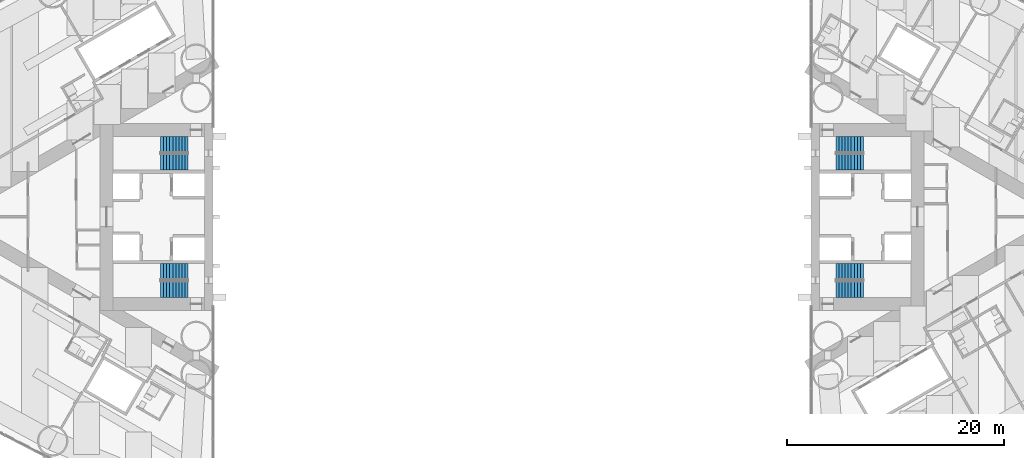
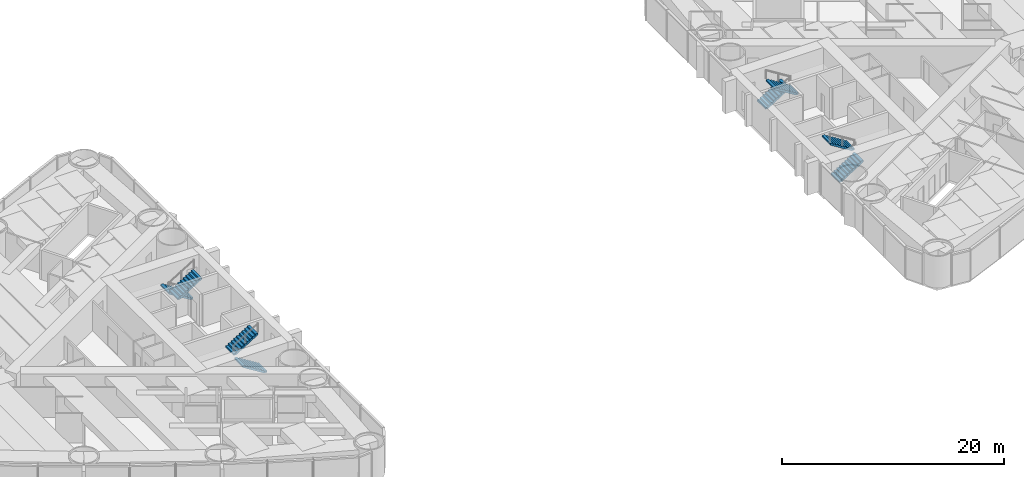
# One storey, part 17 of 19: 8 stair flights, 4 elements without a shape of their own.
"""IFC4 building model written with IfcOpenShell, lengths in metres."""

import ifcopenshell
import ifcopenshell.guid

model = None  # the IFC model being written
_history = None  # IfcOwnerHistory: only IFC2X3 demands one
_inside = {}  # id of a spatial element -> (the spatial element, [elements in it])
_under = {}  # id of a project, library or spatial element -> (it, [spatial elements below it])
_declared = {}  # id of a project -> (the project, [libraries it declares])
_typed = {}  # id of a type object -> (the type object, [elements of that type])
_made_of = {}  # id of a material, layer set ... -> (it, [elements and type objects made of it])


def new_model(schema):
    """Start an empty IFC model of exactly this schema.

    Asked for "IFC4X3", IfcOpenShell would pick the latest addendum, in which some entities
    have other attributes; the version numbers below select the first issue.
    IFC2X3 requires an IfcOwnerHistory on every rooted entity: one is made here for all.
    """
    global model, _history
    if schema == "IFC4X3":
        model = ifcopenshell.file(schema_version=(4, 3, 0, 0))
    else:
        model = ifcopenshell.file(schema=schema)
    _inside.clear()
    _under.clear()
    _declared.clear()
    _typed.clear()
    _made_of.clear()
    _history = None
    if model.schema == "IFC2X3":
        org = make("IfcOrganization", Name="unknown")
        user = make(
            "IfcPersonAndOrganization",
            ThePerson=make("IfcPerson", FamilyName="unknown"),
            TheOrganization=org,
        )
        app = make(
            "IfcApplication",
            ApplicationDeveloper=org,
            Version="unknown",
            ApplicationFullName="unknown",
            ApplicationIdentifier="unknown",
        )
        _history = make(
            "IfcOwnerHistory",
            OwningUser=user,
            OwningApplication=app,
            ChangeAction="ADDED",
            CreationDate=0,
        )
    return model


def make(cls, **values):
    """One entity of the class cls with the attributes given. An attribute that is None is left unset."""
    return model.create_entity(
        cls, **{name: value for name, value in values.items() if value is not None}
    )


def rooted(cls, **values):
    """An entity with a GlobalId (a new one), such as an element, a storey or a relation."""
    return make(cls, GlobalId=ifcopenshell.guid.new(), OwnerHistory=_history, **values)


def si_unit(unit_type, name, prefix=None):
    """IfcSIUnit, for example si_unit("LENGTHUNIT", "METRE", prefix="MILLI")."""
    return make("IfcSIUnit", UnitType=unit_type, Prefix=prefix, Name=name)


def assignment(units):
    """IfcUnitAssignment: the units of a project."""
    return None if units is None else make("IfcUnitAssignment", Units=units)


def point(xyz):
    """IfcCartesianPoint."""
    return None if xyz is None else make("IfcCartesianPoint", Coordinates=xyz)


def direction(xyz):
    """IfcDirection."""
    return None if xyz is None else make("IfcDirection", DirectionRatios=xyz)


def frame(location, z_axis=None, x_axis=None):
    """IfcAxis2Placement3D, a coordinate frame: its origin and axes. An axis left out is left unset."""
    return make(
        "IfcAxis2Placement3D",
        Location=point(location),
        Axis=direction(z_axis),
        RefDirection=direction(x_axis),
    )


def origin():
    """The frame at (0, 0, 0) with its axes left unset."""
    return frame((0.0, 0.0, 0.0))


def place(relative_to, where):
    """IfcLocalPlacement: puts the frame where relative to a parent placement (None: the world)."""
    return make(
        "IfcLocalPlacement", PlacementRelTo=relative_to, RelativePlacement=where
    )


def context(
    kind, dimensions, precision=None, world=None, true_north=None, identifier=None
):
    """IfcGeometricRepresentationContext, for example the 3D "Model" context."""
    return make(
        "IfcGeometricRepresentationContext",
        ContextIdentifier=identifier,
        ContextType=kind,
        CoordinateSpaceDimension=dimensions,
        Precision=precision,
        WorldCoordinateSystem=world,
        TrueNorth=true_north,
    )


def subcontext(parent, identifier, kind, view, scale=None):
    """IfcGeometricRepresentationSubContext, for example "Body" below "Model"."""
    return make(
        "IfcGeometricRepresentationSubContext",
        ContextIdentifier=identifier,
        ContextType=kind,
        ParentContext=parent,
        TargetScale=scale,
        TargetView=view,
    )


def project(units=None, contexts=None):
    """IfcProject with its units and contexts."""
    return rooted(
        "IfcProject",
        Name="project",
        RepresentationContexts=contexts,
        UnitsInContext=assignment(units),
    )


def spatial(cls, under=None, at=None, **own):
    """A site, building, storey or space (cls), placed at a placement, below another one or the project."""
    s = rooted(cls, ObjectPlacement=at, **own)
    if under is not None:
        _under.setdefault(under.id(), (under, []))[1].append(s)
    return s


def polyline(points):
    """IfcPolyline through the points."""
    return make("IfcPolyline", Points=[point(p) for p in points])


def outline(outer, holes=None, kind="AREA"):
    """IfcArbitraryClosedProfileDef: a profile drawn as a closed curve; with holes, ...WithVoids."""
    if holes is None:
        return make("IfcArbitraryClosedProfileDef", ProfileType=kind, OuterCurve=outer)
    return make(
        "IfcArbitraryProfileDefWithVoids",
        ProfileType=kind,
        OuterCurve=outer,
        InnerCurves=holes,
    )


def extrude(swept, where, along, depth):
    """IfcExtrudedAreaSolid: the profile swept, set in the frame where, extruded along a direction by depth."""
    return make(
        "IfcExtrudedAreaSolid",
        SweptArea=swept,
        Position=where,
        ExtrudedDirection=direction(along),
        Depth=depth,
    )


def shape(context_of_items, identifier, shape_type, items):
    """IfcShapeRepresentation: the items that make up one representation, for example the "Body"."""
    return make(
        "IfcShapeRepresentation",
        ContextOfItems=context_of_items,
        RepresentationIdentifier=identifier,
        RepresentationType=shape_type,
        Items=items,
    )


def material(Name=None, Category=None):
    """IfcMaterial."""
    return make("IfcMaterial", Name=Name, Category=Category)


def made_of(thing, what):
    """Note that an element or type object is made of a material, layer set ...; save() writes the relation."""
    if what is not None:
        _made_of.setdefault(what.id(), (what, []))[1].append(thing)
    return thing


def type_object(cls, material=None, **own):
    """A type object (cls), such as IfcWallType, which elements share."""
    return made_of(rooted(cls, **own), material)


def element(
    cls,
    number,
    at=None,
    inside=None,
    cuts=None,
    type_object=None,
    material=None,
    context=None,
    identifier="Body",
    shape_type=None,
    held_by="IfcProductDefinitionShape",
    body=None,
    shapes=None,
    **own,
):
    """One element of the class cls, such as IfcWall. Its Tag is "e" and its number.

    at: its placement. inside: the storey or other place that contains it. cuts: it is an
    opening in that element (IfcRelVoidsElement). A single representation is given by context,
    identifier, shape_type and body (its items); several are given by shapes. held_by: the class
    of the entity that holds the representations. save() writes the other relations.
    """
    e = rooted(cls, Tag="e%d" % number, ObjectPlacement=at, **own)
    if body is not None:
        shapes = [shape(context, identifier, shape_type, body)]
    if shapes is not None:
        e.Representation = make(held_by, Representations=shapes)
    if inside is not None:
        _inside.setdefault(inside.id(), (inside, []))[1].append(e)
    if cuts is not None:
        rooted(
            "IfcRelVoidsElement", RelatingBuildingElement=cuts, RelatedOpeningElement=e
        )
    if type_object is not None:
        _typed.setdefault(type_object.id(), (type_object, []))[1].append(e)
    return made_of(e, material)


def aggregate(whole, parts):
    """IfcRelAggregates: a whole, such as a stair, and the parts it consists of."""
    return rooted("IfcRelAggregates", RelatingObject=whole, RelatedObjects=parts)


def save(model, path):
    """Write the relations noted so far, then the file.

    IfcRelAggregates (storeys below a building ...), IfcRelContainedInSpatialStructure (elements
    in a storey), IfcRelDefinesByType, IfcRelAssociatesMaterial and IfcRelDeclares: one each for
    every whole, place, type object, material and project.
    """
    for whole, parts in _under.values():
        aggregate(whole, parts)
    for where, things in _inside.values():
        rooted(
            "IfcRelContainedInSpatialStructure",
            RelatedElements=things,
            RelatingStructure=where,
        )
    for kind, things in _typed.values():
        rooted("IfcRelDefinesByType", RelatedObjects=things, RelatingType=kind)
    for what, things in _made_of.values():
        rooted("IfcRelAssociatesMaterial", RelatedObjects=things, RelatingMaterial=what)
    for by, libraries in _declared.values():
        rooted("IfcRelDeclares", RelatingContext=by, RelatedDefinitions=libraries)
    model.write(path)


model = new_model("IFC4")

# Units and contexts
model_context = context("Model", 3, precision=1e-05, world=origin(), true_north=direction((0.0, 1.0)))
body_context = subcontext(model_context, "Body", "Model", "MODEL_VIEW")
ifc_project = project(units=[si_unit("LENGTHUNIT", "METRE"), si_unit("AREAUNIT", "SQUARE_METRE"), si_unit("VOLUMEUNIT", "CUBIC_METRE"), si_unit("PLANEANGLEUNIT", "RADIAN"), si_unit("MASSUNIT", "GRAM", prefix="KILO")], contexts=[model_context])

# Site, building, storey
site_placement = place(None, origin())
site = spatial("IfcSite", under=ifc_project, at=site_placement, CompositionType="ELEMENT")
building_placement = place(site_placement, origin())
building = spatial("IfcBuilding", under=site, at=building_placement, Name="Lancet Gate Hotel", CompositionType="ELEMENT")
storey_placement = place(building_placement, frame((0.0, 0.0, 28.5)))
storey = spatial("IfcBuildingStorey", under=building, at=storey_placement, Name="L06", CompositionType="ELEMENT", Elevation=28.5)

# Stair, stair flights
ifc_material_1 = material(Name="Exit stair 20 risers 1500")
stair_type = type_object("IfcStairType", Name="Exit stair 20 risers 1500", PredefinedType="HALF_TURN_STAIR", material=ifc_material_1)
stair_1_placement = place(storey_placement, origin())
stair_1 = element("IfcStair", 1, at=stair_1_placement, inside=storey, type_object=stair_type, Name="T1 stair 1 L06", PredefinedType="HALF_TURN_STAIR")
ifc_material_2 = material(Name="Stair flight 10 risers 175 rise 1500")
stair_flight_type = type_object("IfcStairFlightType", Name="Stair flight 10 risers 175 rise 1500", PredefinedType="STRAIGHT", material=ifc_material_2)
stair_flight_1_placement = place(storey_placement, frame((-29.800048828125, 6.64990234375, 0.0), z_axis=(0.0, 0.0, 1.0), x_axis=(-1.0, 0.0, 0.0)))
stair_flight_1 = element("IfcStairFlight", 2, at=stair_flight_1_placement, type_object=stair_flight_type, Name="ST1 flight 1", NumberOfRisers=10, NumberOfTreads=9, PredefinedType="STRAIGHT", RiserHeight=0.175, TreadLength=0.28, context=body_context, shape_type="SweptSolid", body=[
    extrude(outline(polyline([(0.0, 0.0), (0.0, 0.175048828125), (0.280029296875, 0.175048828125), (0.280029296875, 0.35009765625), (0.56005859375, 0.35009765625), (0.56005859375, 0.52490234375), (0.840087890625, 0.52490234375), (0.840087890625, 0.699951171875), (1.1201171875, 0.699951171875), (1.1201171875, 0.875), (1.39990234375, 0.875), (1.39990234375, 1.050048828125), (1.679931640625, 1.050048828125), (1.679931640625, 1.22509765625), (1.9599609375, 1.22509765625), (1.9599609375, 1.39990234375), (2.239990234375, 1.39990234375), (2.239990234375, 1.574951171875), (2.52001953125, 1.574951171875), (2.52001953125, 1.75), (2.52001953125, 1.398193359375), (0.28271484375, 0.0), (0.0, 0.0)])), frame((0.0, 0.75, 0.0), z_axis=(0.0, -1.0, 0.0), x_axis=(1.0, 0.0, 0.0)), (0.0, 0.0, 1.0), 1.5),
])
stair_flight_2_placement = place(storey_placement, frame((-32.320068359375, 5.050048828125, 1.75), z_axis=(0.0, 0.0, 1.0), x_axis=(1.0, 0.0, 0.0)))
stair_flight_2 = element("IfcStairFlight", 3, at=stair_flight_2_placement, type_object=stair_flight_type, Name="ST1 flight 2", NumberOfRisers=10, NumberOfTreads=9, PredefinedType="STRAIGHT", RiserHeight=0.175, TreadLength=0.28, context=body_context, shape_type="SweptSolid", body=[
    extrude(outline(polyline([(0.0, 0.0), (0.0, 0.175048828125), (0.280029296875, 0.175048828125), (0.280029296875, 0.35009765625), (0.56005859375, 0.35009765625), (0.56005859375, 0.52490234375), (0.840087890625, 0.52490234375), (0.840087890625, 0.699951171875), (1.1201171875, 0.699951171875), (1.1201171875, 0.875), (1.39990234375, 0.875), (1.39990234375, 1.050048828125), (1.679931640625, 1.050048828125), (1.679931640625, 1.22509765625), (1.9599609375, 1.22509765625), (1.9599609375, 1.39990234375), (2.239990234375, 1.39990234375), (2.239990234375, 1.574951171875), (2.52001953125, 1.574951171875), (2.52001953125, 1.75), (2.52001953125, 1.398193359375), (0.28271484375, 0.0), (0.0, 0.0)])), frame((0.0, 0.75, 0.0), z_axis=(0.0, -1.0, 0.0), x_axis=(1.0, 0.0, 0.0)), (0.0, 0.0, 1.0), 1.5),
])
aggregate(stair_1, [stair_flight_1, stair_flight_2])

stair_2_placement = place(storey_placement, origin())
stair_2 = element("IfcStair", 4, at=stair_2_placement, inside=storey, type_object=stair_type, Name="T1 stair 2 L06", PredefinedType="HALF_TURN_STAIR")
stair_flight_3_placement = place(storey_placement, frame((-29.800048828125, -6.64990234375, 0.0), z_axis=(0.0, 0.0, 1.0), x_axis=(-1.0, 0.0, 0.0)))
stair_flight_3 = element("IfcStairFlight", 5, at=stair_flight_3_placement, type_object=stair_flight_type, Name="ST2 flight 1", NumberOfRisers=10, NumberOfTreads=9, PredefinedType="STRAIGHT", RiserHeight=0.175, TreadLength=0.28, context=body_context, shape_type="SweptSolid", body=[
    extrude(outline(polyline([(0.0, 0.0), (0.0, 0.175048828125), (0.280029296875, 0.175048828125), (0.280029296875, 0.35009765625), (0.56005859375, 0.35009765625), (0.56005859375, 0.52490234375), (0.840087890625, 0.52490234375), (0.840087890625, 0.699951171875), (1.1201171875, 0.699951171875), (1.1201171875, 0.875), (1.39990234375, 0.875), (1.39990234375, 1.050048828125), (1.679931640625, 1.050048828125), (1.679931640625, 1.22509765625), (1.9599609375, 1.22509765625), (1.9599609375, 1.39990234375), (2.239990234375, 1.39990234375), (2.239990234375, 1.574951171875), (2.52001953125, 1.574951171875), (2.52001953125, 1.75), (2.52001953125, 1.398193359375), (0.28271484375, 0.0), (0.0, 0.0)])), frame((0.0, 0.75, 0.0), z_axis=(0.0, -1.0, 0.0), x_axis=(1.0, 0.0, 0.0)), (0.0, 0.0, 1.0), 1.5),
])
stair_flight_4_placement = place(storey_placement, frame((-32.320068359375, -5.050048828125, 1.75), z_axis=(0.0, 0.0, 1.0), x_axis=(1.0, 0.0, 0.0)))
stair_flight_4 = element("IfcStairFlight", 6, at=stair_flight_4_placement, type_object=stair_flight_type, Name="ST2 flight 2", NumberOfRisers=10, NumberOfTreads=9, PredefinedType="STRAIGHT", RiserHeight=0.175, TreadLength=0.28, context=body_context, shape_type="SweptSolid", body=[
    extrude(outline(polyline([(0.0, 0.0), (0.0, 0.175048828125), (0.280029296875, 0.175048828125), (0.280029296875, 0.35009765625), (0.56005859375, 0.35009765625), (0.56005859375, 0.52490234375), (0.840087890625, 0.52490234375), (0.840087890625, 0.699951171875), (1.1201171875, 0.699951171875), (1.1201171875, 0.875), (1.39990234375, 0.875), (1.39990234375, 1.050048828125), (1.679931640625, 1.050048828125), (1.679931640625, 1.22509765625), (1.9599609375, 1.22509765625), (1.9599609375, 1.39990234375), (2.239990234375, 1.39990234375), (2.239990234375, 1.574951171875), (2.52001953125, 1.574951171875), (2.52001953125, 1.75), (2.52001953125, 1.398193359375), (0.28271484375, 0.0), (0.0, 0.0)])), frame((0.0, 0.75, 0.0), z_axis=(0.0, -1.0, 0.0), x_axis=(1.0, 0.0, 0.0)), (0.0, 0.0, 1.0), 1.5),
])
aggregate(stair_2, [stair_flight_3, stair_flight_4])

stair_3_placement = place(storey_placement, origin())
stair_3 = element("IfcStair", 7, at=stair_3_placement, inside=storey, type_object=stair_type, Name="T2 stair 1 L06", PredefinedType="HALF_TURN_STAIR")
stair_flight_5_placement = place(storey_placement, frame((29.800048828125, -6.64990234375, 0.0), z_axis=(0.0, 0.0, 1.0), x_axis=(1.0, 0.0, 0.0)))
stair_flight_5 = element("IfcStairFlight", 8, at=stair_flight_5_placement, type_object=stair_flight_type, Name="ST3 flight 1", NumberOfRisers=10, NumberOfTreads=9, PredefinedType="STRAIGHT", RiserHeight=0.175, TreadLength=0.28, context=body_context, shape_type="SweptSolid", body=[
    extrude(outline(polyline([(0.0, 0.0), (0.0, 0.175048828125), (0.280029296875, 0.175048828125), (0.280029296875, 0.35009765625), (0.56005859375, 0.35009765625), (0.56005859375, 0.52490234375), (0.840087890625, 0.52490234375), (0.840087890625, 0.699951171875), (1.1201171875, 0.699951171875), (1.1201171875, 0.875), (1.39990234375, 0.875), (1.39990234375, 1.050048828125), (1.679931640625, 1.050048828125), (1.679931640625, 1.22509765625), (1.9599609375, 1.22509765625), (1.9599609375, 1.39990234375), (2.239990234375, 1.39990234375), (2.239990234375, 1.574951171875), (2.52001953125, 1.574951171875), (2.52001953125, 1.75), (2.52001953125, 1.398193359375), (0.28271484375, 0.0), (0.0, 0.0)])), frame((0.0, 0.75, 0.0), z_axis=(0.0, -1.0, 0.0), x_axis=(1.0, 0.0, 0.0)), (0.0, 0.0, 1.0), 1.5),
])
stair_flight_6_placement = place(storey_placement, frame((32.320068359375, -5.050048828125, 1.75), z_axis=(0.0, 0.0, 1.0), x_axis=(-1.0, 0.0, 0.0)))
stair_flight_6 = element("IfcStairFlight", 9, at=stair_flight_6_placement, type_object=stair_flight_type, Name="ST3 flight 2", NumberOfRisers=10, NumberOfTreads=9, PredefinedType="STRAIGHT", RiserHeight=0.175, TreadLength=0.28, context=body_context, shape_type="SweptSolid", body=[
    extrude(outline(polyline([(0.0, 0.0), (0.0, 0.175048828125), (0.280029296875, 0.175048828125), (0.280029296875, 0.35009765625), (0.56005859375, 0.35009765625), (0.56005859375, 0.52490234375), (0.840087890625, 0.52490234375), (0.840087890625, 0.699951171875), (1.1201171875, 0.699951171875), (1.1201171875, 0.875), (1.39990234375, 0.875), (1.39990234375, 1.050048828125), (1.679931640625, 1.050048828125), (1.679931640625, 1.22509765625), (1.9599609375, 1.22509765625), (1.9599609375, 1.39990234375), (2.239990234375, 1.39990234375), (2.239990234375, 1.574951171875), (2.52001953125, 1.574951171875), (2.52001953125, 1.75), (2.52001953125, 1.398193359375), (0.28271484375, 0.0), (0.0, 0.0)])), frame((0.0, 0.75, 0.0), z_axis=(0.0, -1.0, 0.0), x_axis=(1.0, 0.0, 0.0)), (0.0, 0.0, 1.0), 1.5),
])
aggregate(stair_3, [stair_flight_5, stair_flight_6])

stair_4_placement = place(storey_placement, origin())
stair_4 = element("IfcStair", 10, at=stair_4_placement, inside=storey, type_object=stair_type, Name="T2 stair 2 L06", PredefinedType="HALF_TURN_STAIR")
stair_flight_7_placement = place(storey_placement, frame((29.800048828125, 6.64990234375, 0.0), z_axis=(0.0, 0.0, 1.0), x_axis=(1.0, 0.0, 0.0)))
stair_flight_7 = element("IfcStairFlight", 11, at=stair_flight_7_placement, type_object=stair_flight_type, Name="ST4 flight 1", NumberOfRisers=10, NumberOfTreads=9, PredefinedType="STRAIGHT", RiserHeight=0.175, TreadLength=0.28, context=body_context, shape_type="SweptSolid", body=[
    extrude(outline(polyline([(0.0, 0.0), (0.0, 0.175048828125), (0.280029296875, 0.175048828125), (0.280029296875, 0.35009765625), (0.56005859375, 0.35009765625), (0.56005859375, 0.52490234375), (0.840087890625, 0.52490234375), (0.840087890625, 0.699951171875), (1.1201171875, 0.699951171875), (1.1201171875, 0.875), (1.39990234375, 0.875), (1.39990234375, 1.050048828125), (1.679931640625, 1.050048828125), (1.679931640625, 1.22509765625), (1.9599609375, 1.22509765625), (1.9599609375, 1.39990234375), (2.239990234375, 1.39990234375), (2.239990234375, 1.574951171875), (2.52001953125, 1.574951171875), (2.52001953125, 1.75), (2.52001953125, 1.398193359375), (0.28271484375, 0.0), (0.0, 0.0)])), frame((0.0, 0.75, 0.0), z_axis=(0.0, -1.0, 0.0), x_axis=(1.0, 0.0, 0.0)), (0.0, 0.0, 1.0), 1.5),
])
stair_flight_8_placement = place(storey_placement, frame((32.320068359375, 5.050048828125, 1.75), z_axis=(0.0, 0.0, 1.0), x_axis=(-1.0, 0.0, 0.0)))
stair_flight_8 = element("IfcStairFlight", 12, at=stair_flight_8_placement, type_object=stair_flight_type, Name="ST4 flight 2", NumberOfRisers=10, NumberOfTreads=9, PredefinedType="STRAIGHT", RiserHeight=0.175, TreadLength=0.28, context=body_context, shape_type="SweptSolid", body=[
    extrude(outline(polyline([(0.0, 0.0), (0.0, 0.175048828125), (0.280029296875, 0.175048828125), (0.280029296875, 0.35009765625), (0.56005859375, 0.35009765625), (0.56005859375, 0.52490234375), (0.840087890625, 0.52490234375), (0.840087890625, 0.699951171875), (1.1201171875, 0.699951171875), (1.1201171875, 0.875), (1.39990234375, 0.875), (1.39990234375, 1.050048828125), (1.679931640625, 1.050048828125), (1.679931640625, 1.22509765625), (1.9599609375, 1.22509765625), (1.9599609375, 1.39990234375), (2.239990234375, 1.39990234375), (2.239990234375, 1.574951171875), (2.52001953125, 1.574951171875), (2.52001953125, 1.75), (2.52001953125, 1.398193359375), (0.28271484375, 0.0), (0.0, 0.0)])), frame((0.0, 0.75, 0.0), z_axis=(0.0, -1.0, 0.0), x_axis=(1.0, 0.0, 0.0)), (0.0, 0.0, 1.0), 1.5),
])
aggregate(stair_4, [stair_flight_7, stair_flight_8])

save(model, "model.ifc")
